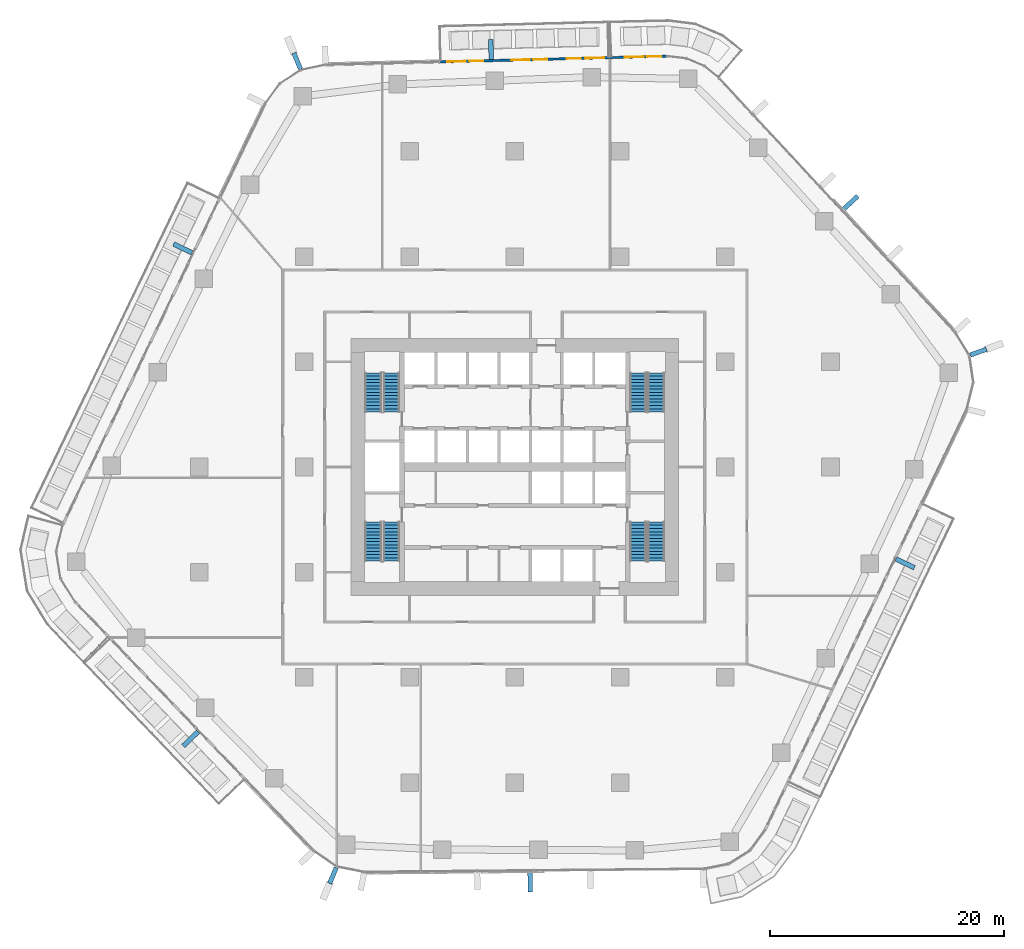
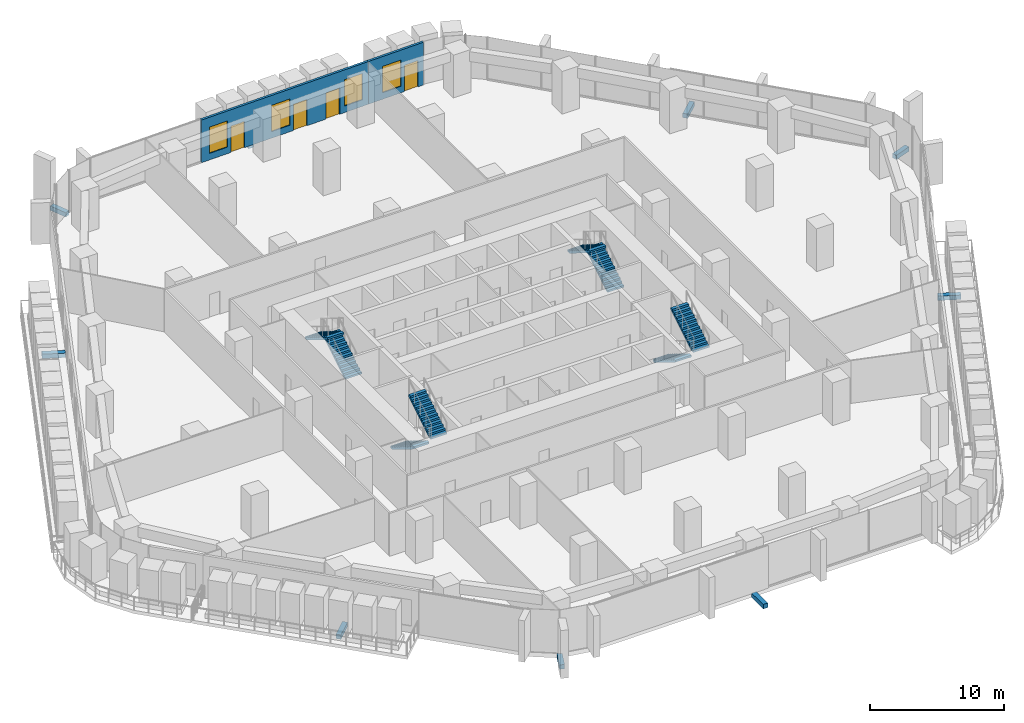
# One storey, part 16 of 23: 9 discrete accessories, 8 stair flights, 4 doors, 4 windows, 2 walls, 8 openings, 4 elements without a shape of their own.
"""IFC4 building model written with IfcOpenShell, lengths in metres."""

from ifc_helpers import new_model, si_unit, direction, frame, frame_2d, origin, origin_2d, place, context, subcontext, project, spatial, polyline, rectangle, outline, extrude, material, layer, layer_set, type_object, element, fill, aggregate, save


model = new_model("IFC4")

# Units and contexts
model_context = context("Model", 3, precision=1e-05, world=origin(), true_north=direction((0.0, 1.0)))
body_context = subcontext(model_context, "Body", "Model", "MODEL_VIEW")
ifc_project = project(units=[si_unit("LENGTHUNIT", "METRE"), si_unit("AREAUNIT", "SQUARE_METRE"), si_unit("VOLUMEUNIT", "CUBIC_METRE"), si_unit("PLANEANGLEUNIT", "RADIAN"), si_unit("MASSUNIT", "GRAM", prefix="KILO")], contexts=[model_context])

# Site, building, storey
site_placement = place(None, origin())
site = spatial("IfcSite", under=ifc_project, at=site_placement, CompositionType="ELEMENT")
building_placement = place(site_placement, origin())
building = spatial("IfcBuilding", under=site, at=building_placement, Name="Dongbaek Canopy Tower", CompositionType="ELEMENT")
storey_placement = place(building_placement, frame((0.0, 0.0, 84.699951171875)))
storey = spatial("IfcBuildingStorey", under=building, at=storey_placement, Name="L17", CompositionType="ELEMENT", Elevation=84.699951171875)

# Wall, openings, doors, windows
ifc_material_1 = material(Name="Aluminium window wall", Category="aluminium")
ifc_layer_1 = layer(ifc_material_1, 0.199951171875)
ifc_layer_set_1 = layer_set([ifc_layer_1], Name="Window wall 200")
wall_type = type_object("IfcWallType", Name="Window wall 200", PredefinedType="SOLIDWALL", material=ifc_layer_set_1)
wall_1_placement = place(storey_placement, frame((8.1455078125, 35.009033203125, 0.0), z_axis=(0.0, 0.0, 1.0), x_axis=(-0.999684454382, -0.02511954752, 0.0)))
wall_1 = element("IfcWall", 1, at=wall_1_placement, inside=storey, type_object=wall_type, Name="Window wall L17 1", PredefinedType="SOLIDWALL", context=body_context, shape_type="SweptSolid", body=[
    extrude(rectangle(XDim=14.60791015625, YDim=0.199951171875, at=frame_2d((7.303955078125, 0.0))), origin(), (0.0, 0.0, 1.0), 3.900146484375),
])
opening_1_placement = place(wall_1_placement, frame((0.5, 0.0, 0.60009765625)))
opening_1 = element("IfcOpeningElement", 2, at=opening_1_placement, cuts=wall_1, Name="Opening W1", PredefinedType="OPENING", context=body_context, shape_type="SweptSolid", body=[
    extrude(rectangle(XDim=1.60009765625, YDim=2.39990234375, at=frame_2d((0.800048828125, 1.199951171875))), frame((0.0, 0.10986328125, 0.0), z_axis=(0.0, -1.0, 0.0), x_axis=(1.0, 0.0, 0.0)), (0.0, 0.0, 1.0), 0.219970703125),
])
opening_2_placement = place(wall_1_placement, frame((2.5, 0.0, 0.0)))
opening_2 = element("IfcOpeningElement", 3, at=opening_2_placement, cuts=wall_1, Name="Opening L17-B01", PredefinedType="OPENING", context=body_context, shape_type="SweptSolid", body=[
    extrude(rectangle(XDim=1.199951171875, YDim=2.39990234375, at=frame_2d((0.60009765625, 1.199951171875))), frame((0.0, 0.10986328125, 0.0), z_axis=(0.0, -1.0, 0.0), x_axis=(1.0, 0.0, 0.0)), (0.0, 0.0, 1.0), 0.219970703125),
])
opening_3_placement = place(wall_1_placement, frame((6.869384765625, 0.0, 0.60009765625)))
opening_3 = element("IfcOpeningElement", 4, at=opening_3_placement, cuts=wall_1, Name="Opening W1", PredefinedType="OPENING", context=body_context, shape_type="SweptSolid", body=[
    extrude(rectangle(XDim=1.60009765625, YDim=2.39990234375, at=frame_2d((0.800048828125, 1.199951171875))), frame((0.0, 0.10986328125, 0.0), z_axis=(0.0, -1.0, 0.0), x_axis=(1.0, 0.0, 0.0)), (0.0, 0.0, 1.0), 0.219970703125),
])
opening_4_placement = place(wall_1_placement, frame((5.369384765625, 0.0, 0.0)))
opening_4 = element("IfcOpeningElement", 5, at=opening_4_placement, cuts=wall_1, Name="Opening L17-B02", PredefinedType="OPENING", context=body_context, shape_type="SweptSolid", body=[
    extrude(rectangle(XDim=1.199951171875, YDim=2.39990234375, at=frame_2d((0.60009765625, 1.199951171875))), frame((0.0, 0.10986328125, 0.0), z_axis=(0.0, -1.0, 0.0), x_axis=(1.0, 0.0, 0.0)), (0.0, 0.0, 1.0), 0.219970703125),
])
opening_5_placement = place(wall_1_placement, frame((12.338623046875, 0.0, 0.60009765625)))
opening_5 = element("IfcOpeningElement", 6, at=opening_5_placement, cuts=wall_1, Name="Opening W1", PredefinedType="OPENING", context=body_context, shape_type="SweptSolid", body=[
    extrude(rectangle(XDim=1.60009765625, YDim=2.39990234375, at=frame_2d((0.800048828125, 1.199951171875))), frame((0.0, 0.10986328125, 0.0), z_axis=(0.0, -1.0, 0.0), x_axis=(1.0, 0.0, 0.0)), (0.0, 0.0, 1.0), 0.219970703125),
])
opening_6_placement = place(wall_1_placement, frame((10.838623046875, 0.0, 0.0)))
opening_6 = element("IfcOpeningElement", 7, at=opening_6_placement, cuts=wall_1, Name="Opening L17-B03", PredefinedType="OPENING", context=body_context, shape_type="SweptSolid", body=[
    extrude(rectangle(XDim=1.199951171875, YDim=2.39990234375, at=frame_2d((0.60009765625, 1.199951171875))), frame((0.0, 0.10986328125, 0.0), z_axis=(0.0, -1.0, 0.0), x_axis=(1.0, 0.0, 0.0)), (0.0, 0.0, 1.0), 0.219970703125),
])
ifc_material_2 = material(Name="Clear glazing in aluminium frame", Category="aluminium")
door_type = type_object("IfcDoorType", Name="Balcony door BD1 1200 x 2400", OperationType="SLIDING_TO_LEFT", PredefinedType="DOOR", material=ifc_material_2)
door_1_placement = place(opening_2_placement, origin())
door_1 = element("IfcDoor", 8, at=door_1_placement, inside=storey, type_object=door_type, Name="Balcony door L17-B01", OperationType="SLIDING_TO_LEFT", OverallHeight=2.39990234375, OverallWidth=1.199951171875, PredefinedType="DOOR", context=body_context, shape_type="SweptSolid", body=[
    extrude(rectangle(XDim=1.199951171875, YDim=2.39990234375, at=frame_2d((0.60009765625, 1.199951171875))), frame((0.0, 0.02490234375, 0.0), z_axis=(0.0, -1.0, 0.0), x_axis=(1.0, 0.0, 0.0)), (0.0, 0.0, 1.0), 0.050048828125),
])
fill(opening_2, door_1)
door_2_placement = place(opening_4_placement, origin())
door_2 = element("IfcDoor", 9, at=door_2_placement, inside=storey, type_object=door_type, Name="Balcony door L17-B02", OperationType="SLIDING_TO_LEFT", OverallHeight=2.39990234375, OverallWidth=1.199951171875, PredefinedType="DOOR", context=body_context, shape_type="SweptSolid", body=[
    extrude(rectangle(XDim=1.199951171875, YDim=2.39990234375, at=frame_2d((0.60009765625, 1.199951171875))), frame((0.0, 0.02490234375, 0.0), z_axis=(0.0, -1.0, 0.0), x_axis=(1.0, 0.0, 0.0)), (0.0, 0.0, 1.0), 0.050048828125),
])
fill(opening_4, door_2)
door_3_placement = place(opening_6_placement, origin())
door_3 = element("IfcDoor", 10, at=door_3_placement, inside=storey, type_object=door_type, Name="Balcony door L17-B03", OperationType="SLIDING_TO_LEFT", OverallHeight=2.39990234375, OverallWidth=1.199951171875, PredefinedType="DOOR", context=body_context, shape_type="SweptSolid", body=[
    extrude(rectangle(XDim=1.199951171875, YDim=2.39990234375, at=frame_2d((0.60009765625, 1.199951171875))), frame((0.0, 0.02490234375, 0.0), z_axis=(0.0, -1.0, 0.0), x_axis=(1.0, 0.0, 0.0)), (0.0, 0.0, 1.0), 0.050048828125),
])
fill(opening_6, door_3)
ifc_material_3 = material(Name="Clear glazing in aluminium frame", Category="aluminium")
window_type = type_object("IfcWindowType", Name="Window W1 1600 x 2400", PartitioningType="SINGLE_PANEL", PredefinedType="WINDOW", material=ifc_material_3)
window_1_placement = place(opening_1_placement, origin())
window_1 = element("IfcWindow", 11, at=window_1_placement, inside=storey, type_object=window_type, Name="Window L17 1.1", OverallHeight=2.39990234375, OverallWidth=1.60009765625, PartitioningType="SINGLE_PANEL", PredefinedType="WINDOW", context=body_context, shape_type="SweptSolid", body=[
    extrude(rectangle(XDim=1.60009765625, YDim=2.39990234375, at=frame_2d((0.800048828125, 1.199951171875))), frame((0.0, 0.030029296875, 0.0), z_axis=(0.0, -1.0, 0.0), x_axis=(1.0, 0.0, 0.0)), (0.0, 0.0, 1.0), 0.06005859375),
])
fill(opening_1, window_1)
window_2_placement = place(opening_3_placement, origin())
window_2 = element("IfcWindow", 12, at=window_2_placement, inside=storey, type_object=window_type, Name="Window L17 1.2", OverallHeight=2.39990234375, OverallWidth=1.60009765625, PartitioningType="SINGLE_PANEL", PredefinedType="WINDOW", context=body_context, shape_type="SweptSolid", body=[
    extrude(rectangle(XDim=1.60009765625, YDim=2.39990234375, at=frame_2d((0.800048828125, 1.199951171875))), frame((0.0, 0.030029296875, 0.0), z_axis=(0.0, -1.0, 0.0), x_axis=(1.0, 0.0, 0.0)), (0.0, 0.0, 1.0), 0.06005859375),
])
fill(opening_3, window_2)
window_3_placement = place(opening_5_placement, origin())
window_3 = element("IfcWindow", 13, at=window_3_placement, inside=storey, type_object=window_type, Name="Window L17 1.3", OverallHeight=2.39990234375, OverallWidth=1.60009765625, PartitioningType="SINGLE_PANEL", PredefinedType="WINDOW", context=body_context, shape_type="SweptSolid", body=[
    extrude(rectangle(XDim=1.60009765625, YDim=2.39990234375, at=frame_2d((0.800048828125, 1.199951171875))), frame((0.0, 0.030029296875, 0.0), z_axis=(0.0, -1.0, 0.0), x_axis=(1.0, 0.0, 0.0)), (0.0, 0.0, 1.0), 0.06005859375),
])
fill(opening_5, window_3)

# Wall, openings, door, window
wall_2_placement = place(storey_placement, frame((13.006103515625, 35.13134765625, 0.0), z_axis=(0.0, 0.0, 1.0), x_axis=(-0.999683524307, -0.025156534516, 0.0)))
wall_2 = element("IfcWall", 14, at=wall_2_placement, inside=storey, type_object=wall_type, Name="Window wall L17 5", PredefinedType="SOLIDWALL", context=body_context, shape_type="SweptSolid", body=[
    extrude(rectangle(XDim=4.862060546875, YDim=0.199951171875, at=frame_2d((2.43115234375, 0.0))), origin(), (0.0, 0.0, 1.0), 3.900146484375),
])
opening_7_placement = place(wall_2_placement, frame((2.0, 0.0, 0.60009765625)))
opening_7 = element("IfcOpeningElement", 15, at=opening_7_placement, cuts=wall_2, Name="Opening W1", PredefinedType="OPENING", context=body_context, shape_type="SweptSolid", body=[
    extrude(rectangle(XDim=1.60009765625, YDim=2.39990234375, at=frame_2d((0.800048828125, 1.199951171875))), frame((0.0, 0.10986328125, 0.0), z_axis=(0.0, -1.0, 0.0), x_axis=(1.0, 0.0, 0.0)), (0.0, 0.0, 1.0), 0.219970703125),
])
opening_8_placement = place(wall_2_placement, frame((0.5, 0.0, 0.0)))
opening_8 = element("IfcOpeningElement", 16, at=opening_8_placement, cuts=wall_2, Name="Opening L17-B04", PredefinedType="OPENING", context=body_context, shape_type="SweptSolid", body=[
    extrude(rectangle(XDim=1.199951171875, YDim=2.39990234375, at=frame_2d((0.60009765625, 1.199951171875))), frame((0.0, 0.10986328125, 0.0), z_axis=(0.0, -1.0, 0.0), x_axis=(1.0, 0.0, 0.0)), (0.0, 0.0, 1.0), 0.219970703125),
])
door_4_placement = place(opening_8_placement, origin())
door_4 = element("IfcDoor", 17, at=door_4_placement, inside=storey, type_object=door_type, Name="Balcony door L17-B04", OperationType="SLIDING_TO_LEFT", OverallHeight=2.39990234375, OverallWidth=1.199951171875, PredefinedType="DOOR", context=body_context, shape_type="SweptSolid", body=[
    extrude(rectangle(XDim=1.199951171875, YDim=2.39990234375, at=frame_2d((0.60009765625, 1.199951171875))), frame((0.0, 0.02490234375, 0.0), z_axis=(0.0, -1.0, 0.0), x_axis=(1.0, 0.0, 0.0)), (0.0, 0.0, 1.0), 0.050048828125),
])
fill(opening_8, door_4)
window_4_placement = place(opening_7_placement, origin())
window_4 = element("IfcWindow", 18, at=window_4_placement, inside=storey, type_object=window_type, Name="Window L17 5.1", OverallHeight=2.39990234375, OverallWidth=1.60009765625, PartitioningType="SINGLE_PANEL", PredefinedType="WINDOW", context=body_context, shape_type="SweptSolid", body=[
    extrude(rectangle(XDim=1.60009765625, YDim=2.39990234375, at=frame_2d((0.800048828125, 1.199951171875))), frame((0.0, 0.030029296875, 0.0), z_axis=(0.0, -1.0, 0.0), x_axis=(1.0, 0.0, 0.0)), (0.0, 0.0, 1.0), 0.06005859375),
])
fill(opening_7, window_4)

# Stair, stair flights
ifc_material_4 = material(Name="Concrete C40/50", Category="concrete")
stair_type = type_object("IfcStairType", Name="Core exit stair", PredefinedType="HALF_TURN_STAIR", material=ifc_material_4)
stair_1_placement = place(storey_placement, origin())
stair_1 = element("IfcStair", 19, at=stair_1_placement, inside=storey, type_object=stair_type, Name="L17 exit stair A", PredefinedType="HALF_TURN_STAIR")
ifc_material_5 = material(Name="Concrete C40/50", Category="concrete")
ifc_layer_2 = layer(ifc_material_5, 0.14990234375)
ifc_layer_set_2 = layer_set([ifc_layer_2], Name="Core stair flight 150 waist")
stair_flight_type = type_object("IfcStairFlightType", Name="Core stair flight 150 waist", PredefinedType="STRAIGHT", material=ifc_layer_set_2)
stair_flight_1_placement = place(storey_placement, frame((12.10009765625, 4.699951171875, 0.0), z_axis=(0.0, 0.0, 1.0), x_axis=(0.0, 1.0, 0.0)))
stair_flight_1 = element("IfcStairFlight", 20, at=stair_flight_1_placement, type_object=stair_flight_type, Name="ST-A flight 1", NumberOfRisers=13, NumberOfTreads=12, PredefinedType="STRAIGHT", RiserHeight=0.173076923, TreadLength=0.28, context=body_context, shape_type="SweptSolid", body=[
    extrude(outline(polyline([(0.0, 0.0), (0.0, 0.173095703125), (0.280029296875, 0.173095703125), (0.280029296875, 0.34619140625), (0.56005859375, 0.34619140625), (0.56005859375, 0.519287109375), (0.840087890625, 0.519287109375), (0.840087890625, 0.6923828125), (1.1201171875, 0.6923828125), (1.1201171875, 0.865478515625), (1.39990234375, 0.865478515625), (1.39990234375, 1.03857421875), (1.679931640625, 1.03857421875), (1.679931640625, 1.21142578125), (1.9599609375, 1.21142578125), (1.9599609375, 1.384521484375), (2.239990234375, 1.384521484375), (2.239990234375, 1.5576171875), (2.52001953125, 1.5576171875), (2.52001953125, 1.730712890625), (2.800048828125, 1.730712890625), (2.800048828125, 1.90380859375), (3.080078125, 1.90380859375), (3.080078125, 2.076904296875), (3.360107421875, 2.076904296875), (3.360107421875, 2.25), (3.360107421875, 1.900634765625), (0.28515625, 0.0), (0.0, 0.0)])), frame((0.0, 0.699951171875, 0.0), z_axis=(0.0, -1.0, 0.0), x_axis=(1.0, 0.0, 0.0)), (0.0, 0.0, 1.0), 1.39990234375),
])
stair_flight_2_placement = place(storey_placement, frame((10.550048828125, 8.06005859375, 2.25), z_axis=(0.0, 0.0, 1.0), x_axis=(0.0, -1.0, 0.0)))
stair_flight_2 = element("IfcStairFlight", 21, at=stair_flight_2_placement, type_object=stair_flight_type, Name="ST-A flight 2", NumberOfRisers=13, NumberOfTreads=12, PredefinedType="STRAIGHT", RiserHeight=0.173076923, TreadLength=0.28, context=body_context, shape_type="SweptSolid", body=[
    extrude(outline(polyline([(0.0, 0.0), (0.0, 0.173095703125), (0.280029296875, 0.173095703125), (0.280029296875, 0.34619140625), (0.56005859375, 0.34619140625), (0.56005859375, 0.519287109375), (0.840087890625, 0.519287109375), (0.840087890625, 0.6923828125), (1.1201171875, 0.6923828125), (1.1201171875, 0.865478515625), (1.39990234375, 0.865478515625), (1.39990234375, 1.03857421875), (1.679931640625, 1.03857421875), (1.679931640625, 1.21142578125), (1.9599609375, 1.21142578125), (1.9599609375, 1.384521484375), (2.239990234375, 1.384521484375), (2.239990234375, 1.5576171875), (2.52001953125, 1.5576171875), (2.52001953125, 1.730712890625), (2.800048828125, 1.730712890625), (2.800048828125, 1.90380859375), (3.080078125, 1.90380859375), (3.080078125, 2.076904296875), (3.360107421875, 2.076904296875), (3.360107421875, 2.25), (3.360107421875, 1.900634765625), (0.28515625, 0.0), (0.0, 0.0)])), frame((0.0, 0.699951171875, 0.0), z_axis=(0.0, -1.0, 0.0), x_axis=(1.0, 0.0, 0.0)), (0.0, 0.0, 1.0), 1.39990234375),
])
aggregate(stair_1, [stair_flight_1, stair_flight_2])

stair_2_placement = place(storey_placement, origin())
stair_2 = element("IfcStair", 22, at=stair_2_placement, inside=storey, type_object=stair_type, Name="L17 exit stair C", PredefinedType="HALF_TURN_STAIR")
stair_flight_3_placement = place(storey_placement, frame((-10.550048828125, 4.699951171875, 0.0), z_axis=(0.0, 0.0, 1.0), x_axis=(0.0, 1.0, 0.0)))
stair_flight_3 = element("IfcStairFlight", 23, at=stair_flight_3_placement, type_object=stair_flight_type, Name="ST-C flight 1", NumberOfRisers=13, NumberOfTreads=12, PredefinedType="STRAIGHT", RiserHeight=0.173076923, TreadLength=0.28, context=body_context, shape_type="SweptSolid", body=[
    extrude(outline(polyline([(0.0, 0.0), (0.0, 0.173095703125), (0.280029296875, 0.173095703125), (0.280029296875, 0.34619140625), (0.56005859375, 0.34619140625), (0.56005859375, 0.519287109375), (0.840087890625, 0.519287109375), (0.840087890625, 0.6923828125), (1.1201171875, 0.6923828125), (1.1201171875, 0.865478515625), (1.39990234375, 0.865478515625), (1.39990234375, 1.03857421875), (1.679931640625, 1.03857421875), (1.679931640625, 1.21142578125), (1.9599609375, 1.21142578125), (1.9599609375, 1.384521484375), (2.239990234375, 1.384521484375), (2.239990234375, 1.5576171875), (2.52001953125, 1.5576171875), (2.52001953125, 1.730712890625), (2.800048828125, 1.730712890625), (2.800048828125, 1.90380859375), (3.080078125, 1.90380859375), (3.080078125, 2.076904296875), (3.360107421875, 2.076904296875), (3.360107421875, 2.25), (3.360107421875, 1.900634765625), (0.28515625, 0.0), (0.0, 0.0)])), frame((0.0, 0.699951171875, 0.0), z_axis=(0.0, -1.0, 0.0), x_axis=(1.0, 0.0, 0.0)), (0.0, 0.0, 1.0), 1.39990234375),
])
stair_flight_4_placement = place(storey_placement, frame((-12.10009765625, 8.06005859375, 2.25), z_axis=(0.0, 0.0, 1.0), x_axis=(0.0, -1.0, 0.0)))
stair_flight_4 = element("IfcStairFlight", 24, at=stair_flight_4_placement, type_object=stair_flight_type, Name="ST-C flight 2", NumberOfRisers=13, NumberOfTreads=12, PredefinedType="STRAIGHT", RiserHeight=0.173076923, TreadLength=0.28, context=body_context, shape_type="SweptSolid", body=[
    extrude(outline(polyline([(0.0, 0.0), (0.0, 0.173095703125), (0.280029296875, 0.173095703125), (0.280029296875, 0.34619140625), (0.56005859375, 0.34619140625), (0.56005859375, 0.519287109375), (0.840087890625, 0.519287109375), (0.840087890625, 0.6923828125), (1.1201171875, 0.6923828125), (1.1201171875, 0.865478515625), (1.39990234375, 0.865478515625), (1.39990234375, 1.03857421875), (1.679931640625, 1.03857421875), (1.679931640625, 1.21142578125), (1.9599609375, 1.21142578125), (1.9599609375, 1.384521484375), (2.239990234375, 1.384521484375), (2.239990234375, 1.5576171875), (2.52001953125, 1.5576171875), (2.52001953125, 1.730712890625), (2.800048828125, 1.730712890625), (2.800048828125, 1.90380859375), (3.080078125, 1.90380859375), (3.080078125, 2.076904296875), (3.360107421875, 2.076904296875), (3.360107421875, 2.25), (3.360107421875, 1.900634765625), (0.28515625, 0.0), (0.0, 0.0)])), frame((0.0, 0.699951171875, 0.0), z_axis=(0.0, -1.0, 0.0), x_axis=(1.0, 0.0, 0.0)), (0.0, 0.0, 1.0), 1.39990234375),
])
aggregate(stair_2, [stair_flight_3, stair_flight_4])

stair_3_placement = place(storey_placement, origin())
stair_3 = element("IfcStair", 25, at=stair_3_placement, inside=storey, type_object=stair_type, Name="L17 exit stair B", PredefinedType="HALF_TURN_STAIR")
stair_flight_5_placement = place(storey_placement, frame((10.550048828125, -4.699951171875, 0.0), z_axis=(0.0, 0.0, 1.0), x_axis=(0.0, -1.0, 0.0)))
stair_flight_5 = element("IfcStairFlight", 26, at=stair_flight_5_placement, type_object=stair_flight_type, Name="ST-B flight 1", NumberOfRisers=13, NumberOfTreads=12, PredefinedType="STRAIGHT", RiserHeight=0.173076923, TreadLength=0.28, context=body_context, shape_type="SweptSolid", body=[
    extrude(outline(polyline([(0.0, 0.0), (0.0, 0.173095703125), (0.280029296875, 0.173095703125), (0.280029296875, 0.34619140625), (0.56005859375, 0.34619140625), (0.56005859375, 0.519287109375), (0.840087890625, 0.519287109375), (0.840087890625, 0.6923828125), (1.1201171875, 0.6923828125), (1.1201171875, 0.865478515625), (1.39990234375, 0.865478515625), (1.39990234375, 1.03857421875), (1.679931640625, 1.03857421875), (1.679931640625, 1.21142578125), (1.9599609375, 1.21142578125), (1.9599609375, 1.384521484375), (2.239990234375, 1.384521484375), (2.239990234375, 1.5576171875), (2.52001953125, 1.5576171875), (2.52001953125, 1.730712890625), (2.800048828125, 1.730712890625), (2.800048828125, 1.90380859375), (3.080078125, 1.90380859375), (3.080078125, 2.076904296875), (3.360107421875, 2.076904296875), (3.360107421875, 2.25), (3.360107421875, 1.900634765625), (0.28515625, 0.0), (0.0, 0.0)])), frame((0.0, 0.699951171875, 0.0), z_axis=(0.0, -1.0, 0.0), x_axis=(1.0, 0.0, 0.0)), (0.0, 0.0, 1.0), 1.39990234375),
])
stair_flight_6_placement = place(storey_placement, frame((12.10009765625, -8.06005859375, 2.25), z_axis=(0.0, 0.0, 1.0), x_axis=(0.0, 1.0, 0.0)))
stair_flight_6 = element("IfcStairFlight", 27, at=stair_flight_6_placement, type_object=stair_flight_type, Name="ST-B flight 2", NumberOfRisers=13, NumberOfTreads=12, PredefinedType="STRAIGHT", RiserHeight=0.173076923, TreadLength=0.28, context=body_context, shape_type="SweptSolid", body=[
    extrude(outline(polyline([(0.0, 0.0), (0.0, 0.173095703125), (0.280029296875, 0.173095703125), (0.280029296875, 0.34619140625), (0.56005859375, 0.34619140625), (0.56005859375, 0.519287109375), (0.840087890625, 0.519287109375), (0.840087890625, 0.6923828125), (1.1201171875, 0.6923828125), (1.1201171875, 0.865478515625), (1.39990234375, 0.865478515625), (1.39990234375, 1.03857421875), (1.679931640625, 1.03857421875), (1.679931640625, 1.21142578125), (1.9599609375, 1.21142578125), (1.9599609375, 1.384521484375), (2.239990234375, 1.384521484375), (2.239990234375, 1.5576171875), (2.52001953125, 1.5576171875), (2.52001953125, 1.730712890625), (2.800048828125, 1.730712890625), (2.800048828125, 1.90380859375), (3.080078125, 1.90380859375), (3.080078125, 2.076904296875), (3.360107421875, 2.076904296875), (3.360107421875, 2.25), (3.360107421875, 1.900634765625), (0.28515625, 0.0), (0.0, 0.0)])), frame((0.0, 0.699951171875, 0.0), z_axis=(0.0, -1.0, 0.0), x_axis=(1.0, 0.0, 0.0)), (0.0, 0.0, 1.0), 1.39990234375),
])
aggregate(stair_3, [stair_flight_5, stair_flight_6])

stair_4_placement = place(storey_placement, origin())
stair_4 = element("IfcStair", 28, at=stair_4_placement, inside=storey, type_object=stair_type, Name="L17 exit stair D", PredefinedType="HALF_TURN_STAIR")
stair_flight_7_placement = place(storey_placement, frame((-12.10009765625, -4.699951171875, 0.0), z_axis=(0.0, 0.0, 1.0), x_axis=(0.0, -1.0, 0.0)))
stair_flight_7 = element("IfcStairFlight", 29, at=stair_flight_7_placement, type_object=stair_flight_type, Name="ST-D flight 1", NumberOfRisers=13, NumberOfTreads=12, PredefinedType="STRAIGHT", RiserHeight=0.173076923, TreadLength=0.28, context=body_context, shape_type="SweptSolid", body=[
    extrude(outline(polyline([(0.0, 0.0), (0.0, 0.173095703125), (0.280029296875, 0.173095703125), (0.280029296875, 0.34619140625), (0.56005859375, 0.34619140625), (0.56005859375, 0.519287109375), (0.840087890625, 0.519287109375), (0.840087890625, 0.6923828125), (1.1201171875, 0.6923828125), (1.1201171875, 0.865478515625), (1.39990234375, 0.865478515625), (1.39990234375, 1.03857421875), (1.679931640625, 1.03857421875), (1.679931640625, 1.21142578125), (1.9599609375, 1.21142578125), (1.9599609375, 1.384521484375), (2.239990234375, 1.384521484375), (2.239990234375, 1.5576171875), (2.52001953125, 1.5576171875), (2.52001953125, 1.730712890625), (2.800048828125, 1.730712890625), (2.800048828125, 1.90380859375), (3.080078125, 1.90380859375), (3.080078125, 2.076904296875), (3.360107421875, 2.076904296875), (3.360107421875, 2.25), (3.360107421875, 1.900634765625), (0.28515625, 0.0), (0.0, 0.0)])), frame((0.0, 0.699951171875, 0.0), z_axis=(0.0, -1.0, 0.0), x_axis=(1.0, 0.0, 0.0)), (0.0, 0.0, 1.0), 1.39990234375),
])
stair_flight_8_placement = place(storey_placement, frame((-10.550048828125, -8.06005859375, 2.25), z_axis=(0.0, 0.0, 1.0), x_axis=(0.0, 1.0, 0.0)))
stair_flight_8 = element("IfcStairFlight", 30, at=stair_flight_8_placement, type_object=stair_flight_type, Name="ST-D flight 2", NumberOfRisers=13, NumberOfTreads=12, PredefinedType="STRAIGHT", RiserHeight=0.173076923, TreadLength=0.28, context=body_context, shape_type="SweptSolid", body=[
    extrude(outline(polyline([(0.0, 0.0), (0.0, 0.173095703125), (0.280029296875, 0.173095703125), (0.280029296875, 0.34619140625), (0.56005859375, 0.34619140625), (0.56005859375, 0.519287109375), (0.840087890625, 0.519287109375), (0.840087890625, 0.6923828125), (1.1201171875, 0.6923828125), (1.1201171875, 0.865478515625), (1.39990234375, 0.865478515625), (1.39990234375, 1.03857421875), (1.679931640625, 1.03857421875), (1.679931640625, 1.21142578125), (1.9599609375, 1.21142578125), (1.9599609375, 1.384521484375), (2.239990234375, 1.384521484375), (2.239990234375, 1.5576171875), (2.52001953125, 1.5576171875), (2.52001953125, 1.730712890625), (2.800048828125, 1.730712890625), (2.800048828125, 1.90380859375), (3.080078125, 1.90380859375), (3.080078125, 2.076904296875), (3.360107421875, 2.076904296875), (3.360107421875, 2.25), (3.360107421875, 1.900634765625), (0.28515625, 0.0), (0.0, 0.0)])), frame((0.0, 0.699951171875, 0.0), z_axis=(0.0, -1.0, 0.0), x_axis=(1.0, 0.0, 0.0)), (0.0, 0.0, 1.0), 1.39990234375),
])
aggregate(stair_4, [stair_flight_7, stair_flight_8])

# Discrete accessories
ifc_material_6 = material(Name="Galvanised steel S355 bracket", Category="steel")
discrete_accessory_type = type_object("IfcDiscreteAccessoryType", Name="Crease fin bracket BR3 400", PredefinedType="BRACKET", material=ifc_material_6)
discrete_accessory_1_placement = place(storey_placement, frame((33.393798828125, -8.2451171875, -0.39990234375), z_axis=(0.0, 0.0, 1.0), x_axis=(0.901828001564, -0.432095192746, 0.0)))
element("IfcDiscreteAccessory", 31, at=discrete_accessory_1_placement, inside=storey, type_object=discrete_accessory_type, Name="Crease fin bracket L17 F5", PredefinedType="BRACKET", context=body_context, shape_type="SweptSolid", body=[
    extrude(rectangle(XDim=1.742431640625, YDim=0.39990234375, at=origin_2d()), origin(), (0.0, 0.0, 1.0), 0.39990234375),
])
discrete_accessory_2_placement = place(storey_placement, frame((28.697265625, 22.580810546875, -0.39990234375), z_axis=(0.0, 0.0, 1.0), x_axis=(0.732753154351, 0.680494536927, 0.0)))
element("IfcDiscreteAccessory", 32, at=discrete_accessory_2_placement, inside=storey, type_object=discrete_accessory_type, Name="Crease fin bracket L17 F0", PredefinedType="BRACKET", context=body_context, shape_type="SweptSolid", body=[
    extrude(rectangle(XDim=1.713623046875, YDim=0.39990234375, at=origin_2d()), origin(), (0.0, 0.0, 1.0), 0.39990234375),
])
discrete_accessory_3_placement = place(storey_placement, frame((-2.0341796875, 35.713134765625, -0.39990234375), z_axis=(0.0, 0.0, 1.0), x_axis=(-0.025119626774, 0.99968445239, 0.0)))
element("IfcDiscreteAccessory", 33, at=discrete_accessory_3_placement, inside=storey, type_object=discrete_accessory_type, Name="Crease fin bracket L17 F1", PredefinedType="BRACKET", context=body_context, shape_type="SweptSolid", body=[
    extrude(rectangle(XDim=1.718994140625, YDim=0.39990234375, at=origin_2d()), origin(), (0.0, 0.0, 1.0), 0.39990234375),
])
discrete_accessory_4_placement = place(storey_placement, frame((-28.38916015625, 18.6904296875, -0.39990234375), z_axis=(0.0, 0.0, 1.0), x_axis=(-0.901356878236, 0.433077104055, 0.0)))
element("IfcDiscreteAccessory", 34, at=discrete_accessory_4_placement, inside=storey, type_object=discrete_accessory_type, Name="Crease fin bracket L17 F2", PredefinedType="BRACKET", context=body_context, shape_type="SweptSolid", body=[
    extrude(rectangle(XDim=1.757080078125, YDim=0.39990234375, at=origin_2d()), origin(), (0.0, 0.0, 1.0), 0.39990234375),
])
discrete_accessory_5_placement = place(storey_placement, frame((-27.71875, -23.250244140625, -0.39990234375), z_axis=(0.0, 0.0, 1.0), x_axis=(-0.721911213137, -0.691985693745, 0.0)))
element("IfcDiscreteAccessory", 35, at=discrete_accessory_5_placement, inside=storey, type_object=discrete_accessory_type, Name="Crease fin bracket L17 F3", PredefinedType="BRACKET", context=body_context, shape_type="SweptSolid", body=[
    extrude(rectangle(XDim=1.75, YDim=0.39990234375, at=origin_2d()), origin(), (0.0, 0.0, 1.0), 0.39990234375),
])
discrete_accessory_6_placement = place(storey_placement, frame((1.31201171875, -35.47412109375, -0.39990234375), z_axis=(0.0, 0.0, 1.0), x_axis=(0.009201245977, -0.99995766764, 0.0)))
element("IfcDiscreteAccessory", 36, at=discrete_accessory_6_placement, inside=storey, type_object=discrete_accessory_type, Name="Crease fin bracket L17 F4", PredefinedType="BRACKET", context=body_context, shape_type="SweptSolid", body=[
    extrude(rectangle(XDim=1.740234375, YDim=0.39990234375, at=origin_2d()), origin(), (0.0, 0.0, 1.0), 0.39990234375),
])
for number, where, z_axis, x_axis, name in (
    (37, (39.654052734375, 9.828369140625, -0.39990234375), (0.0, 0.0, 1.0), (0.939365667642, 0.342917107265, 0.0), "Corner fin bracket L17 K0"),
    (38, (-18.612060546875, 34.72607421875, -0.39990234375), (0.0, 0.0, 1.0), (-0.381155897493, 0.924510779713, 0.0), "Corner fin bracket L17 K2"),
    (39, (-15.552490234375, -34.941650390625, -0.39990234375), (0.0, 0.0, 1.0), (-0.388200893991, -0.921574774994, 0.0), "Corner fin bracket L17 K4"),
):
    element("IfcDiscreteAccessory", number, at=place(storey_placement, frame(where, z_axis=z_axis, x_axis=x_axis)), inside=storey, type_object=discrete_accessory_type, Name=name, PredefinedType="BRACKET", context=body_context, shape_type="SweptSolid", body=[
        extrude(rectangle(XDim=1.469970703125, YDim=0.39990234375, at=origin_2d()), origin(), (0.0, 0.0, 1.0), 0.39990234375),
    ])

save(model, "model.ifc")
